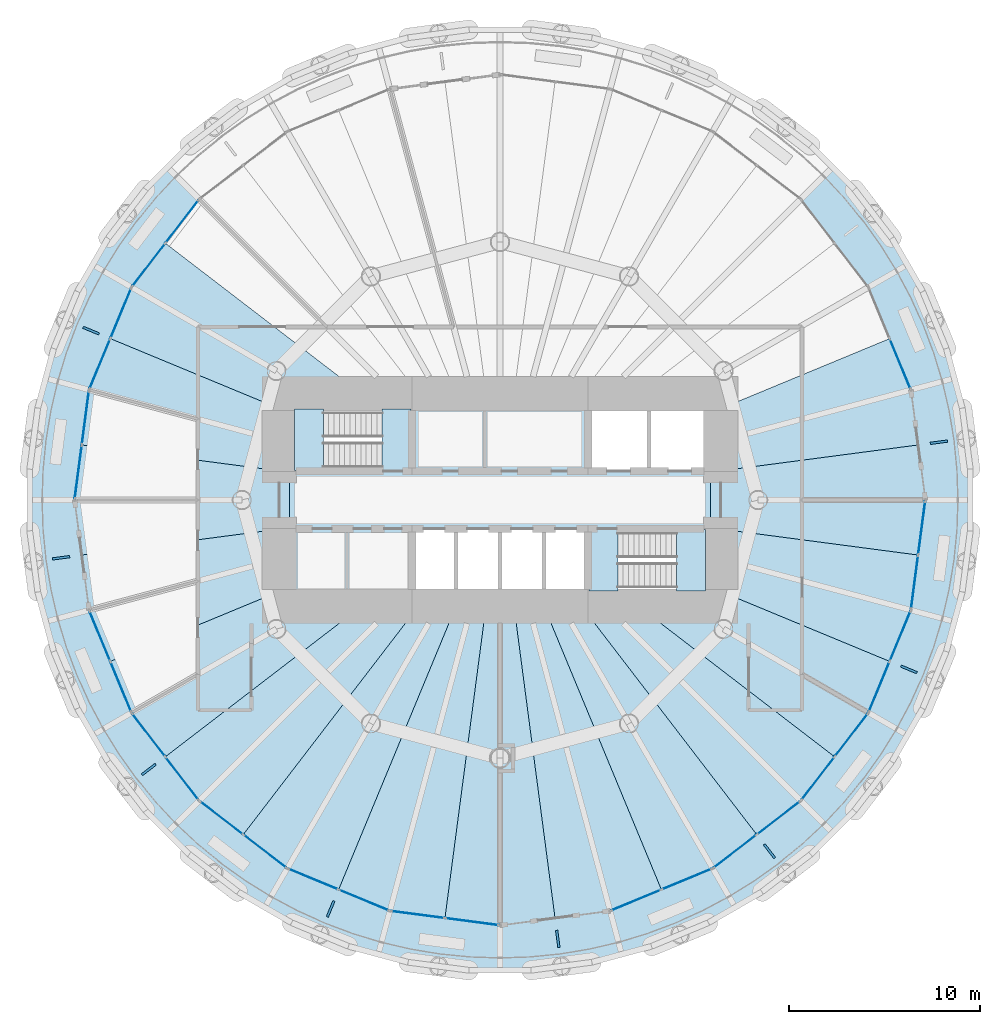
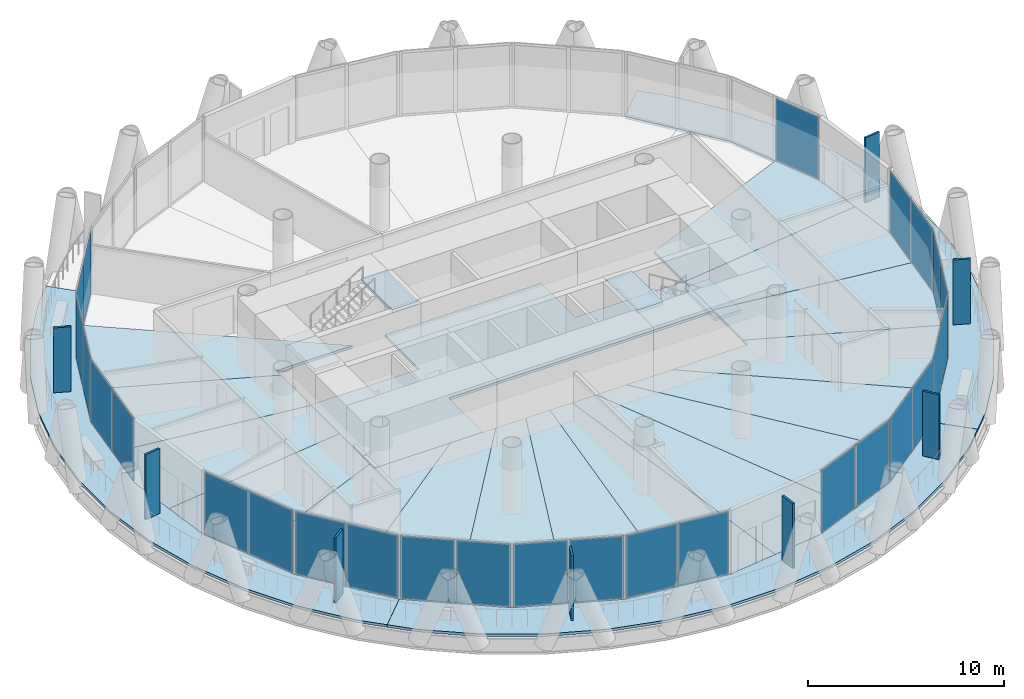
# One storey, part 8 of 15: 35 plates, 24 slabs, 16 elements without a shape of their own.
"""IFC4 building model written with IfcOpenShell, lengths in metres."""

import ifcopenshell
import ifcopenshell.guid

model = None  # the IFC model being written
_history = None  # IfcOwnerHistory: only IFC2X3 demands one
_inside = {}  # id of a spatial element -> (the spatial element, [elements in it])
_under = {}  # id of a project, library or spatial element -> (it, [spatial elements below it])
_declared = {}  # id of a project -> (the project, [libraries it declares])
_typed = {}  # id of a type object -> (the type object, [elements of that type])
_made_of = {}  # id of a material, layer set ... -> (it, [elements and type objects made of it])


def new_model(schema):
    """Start an empty IFC model of exactly this schema.

    Asked for "IFC4X3", IfcOpenShell would pick the latest addendum, in which some entities
    have other attributes; the version numbers below select the first issue.
    IFC2X3 requires an IfcOwnerHistory on every rooted entity: one is made here for all.
    """
    global model, _history
    if schema == "IFC4X3":
        model = ifcopenshell.file(schema_version=(4, 3, 0, 0))
    else:
        model = ifcopenshell.file(schema=schema)
    _inside.clear()
    _under.clear()
    _declared.clear()
    _typed.clear()
    _made_of.clear()
    _history = None
    if model.schema == "IFC2X3":
        org = make("IfcOrganization", Name="unknown")
        user = make(
            "IfcPersonAndOrganization",
            ThePerson=make("IfcPerson", FamilyName="unknown"),
            TheOrganization=org,
        )
        app = make(
            "IfcApplication",
            ApplicationDeveloper=org,
            Version="unknown",
            ApplicationFullName="unknown",
            ApplicationIdentifier="unknown",
        )
        _history = make(
            "IfcOwnerHistory",
            OwningUser=user,
            OwningApplication=app,
            ChangeAction="ADDED",
            CreationDate=0,
        )
    return model


def make(cls, **values):
    """One entity of the class cls with the attributes given. An attribute that is None is left unset."""
    return model.create_entity(
        cls, **{name: value for name, value in values.items() if value is not None}
    )


def rooted(cls, **values):
    """An entity with a GlobalId (a new one), such as an element, a storey or a relation."""
    return make(cls, GlobalId=ifcopenshell.guid.new(), OwnerHistory=_history, **values)


def si_unit(unit_type, name, prefix=None):
    """IfcSIUnit, for example si_unit("LENGTHUNIT", "METRE", prefix="MILLI")."""
    return make("IfcSIUnit", UnitType=unit_type, Prefix=prefix, Name=name)


def assignment(units):
    """IfcUnitAssignment: the units of a project."""
    return None if units is None else make("IfcUnitAssignment", Units=units)


def point(xyz):
    """IfcCartesianPoint."""
    return None if xyz is None else make("IfcCartesianPoint", Coordinates=xyz)


def direction(xyz):
    """IfcDirection."""
    return None if xyz is None else make("IfcDirection", DirectionRatios=xyz)


def frame(location, z_axis=None, x_axis=None):
    """IfcAxis2Placement3D, a coordinate frame: its origin and axes. An axis left out is left unset."""
    return make(
        "IfcAxis2Placement3D",
        Location=point(location),
        Axis=direction(z_axis),
        RefDirection=direction(x_axis),
    )


def frame_2d(location, x_axis=None):
    """IfcAxis2Placement2D, a coordinate frame in the plane: its origin and x axis."""
    return make(
        "IfcAxis2Placement2D", Location=point(location), RefDirection=direction(x_axis)
    )


def origin():
    """The frame at (0, 0, 0) with its axes left unset."""
    return frame((0.0, 0.0, 0.0))


def origin_2d():
    """The frame at (0, 0) in the plane with its x axis left unset."""
    return frame_2d((0.0, 0.0))


def place(relative_to, where):
    """IfcLocalPlacement: puts the frame where relative to a parent placement (None: the world)."""
    return make(
        "IfcLocalPlacement", PlacementRelTo=relative_to, RelativePlacement=where
    )


def context(
    kind, dimensions, precision=None, world=None, true_north=None, identifier=None
):
    """IfcGeometricRepresentationContext, for example the 3D "Model" context."""
    return make(
        "IfcGeometricRepresentationContext",
        ContextIdentifier=identifier,
        ContextType=kind,
        CoordinateSpaceDimension=dimensions,
        Precision=precision,
        WorldCoordinateSystem=world,
        TrueNorth=true_north,
    )


def subcontext(parent, identifier, kind, view, scale=None):
    """IfcGeometricRepresentationSubContext, for example "Body" below "Model"."""
    return make(
        "IfcGeometricRepresentationSubContext",
        ContextIdentifier=identifier,
        ContextType=kind,
        ParentContext=parent,
        TargetScale=scale,
        TargetView=view,
    )


def project(units=None, contexts=None):
    """IfcProject with its units and contexts."""
    return rooted(
        "IfcProject",
        Name="project",
        RepresentationContexts=contexts,
        UnitsInContext=assignment(units),
    )


def spatial(cls, under=None, at=None, **own):
    """A site, building, storey or space (cls), placed at a placement, below another one or the project."""
    s = rooted(cls, ObjectPlacement=at, **own)
    if under is not None:
        _under.setdefault(under.id(), (under, []))[1].append(s)
    return s


def polyline(points):
    """IfcPolyline through the points."""
    return make("IfcPolyline", Points=[point(p) for p in points])


def profile(cls, at=None, kind="AREA", **sizes):
    """A parametric profile (cls). Its sizes go by their IFC names, for example OverallWidth=200.0."""
    return make(cls, ProfileType=kind, Position=at, **sizes)


def rectangle(**sizes):
    """IfcRectangleProfileDef."""
    return profile("IfcRectangleProfileDef", **sizes)


def outline(outer, holes=None, kind="AREA"):
    """IfcArbitraryClosedProfileDef: a profile drawn as a closed curve; with holes, ...WithVoids."""
    if holes is None:
        return make("IfcArbitraryClosedProfileDef", ProfileType=kind, OuterCurve=outer)
    return make(
        "IfcArbitraryProfileDefWithVoids",
        ProfileType=kind,
        OuterCurve=outer,
        InnerCurves=holes,
    )


def extrude(swept, where, along, depth):
    """IfcExtrudedAreaSolid: the profile swept, set in the frame where, extruded along a direction by depth."""
    return make(
        "IfcExtrudedAreaSolid",
        SweptArea=swept,
        Position=where,
        ExtrudedDirection=direction(along),
        Depth=depth,
    )


def shape(context_of_items, identifier, shape_type, items):
    """IfcShapeRepresentation: the items that make up one representation, for example the "Body"."""
    return make(
        "IfcShapeRepresentation",
        ContextOfItems=context_of_items,
        RepresentationIdentifier=identifier,
        RepresentationType=shape_type,
        Items=items,
    )


def material(Name=None, Category=None):
    """IfcMaterial."""
    return make("IfcMaterial", Name=Name, Category=Category)


def layer(
    of_material, thickness, ventilated=None, Name=None, Category=None, Priority=None
):
    """IfcMaterialLayer: one layer of a wall or slab, of a material (None: an air gap)."""
    return make(
        "IfcMaterialLayer",
        Material=of_material,
        LayerThickness=thickness,
        IsVentilated=ventilated,
        Name=Name,
        Category=Category,
        Priority=Priority,
    )


def layer_set(layers, Name=None):
    """IfcMaterialLayerSet."""
    return make("IfcMaterialLayerSet", MaterialLayers=layers, LayerSetName=Name)


def made_of(thing, what):
    """Note that an element or type object is made of a material, layer set ...; save() writes the relation."""
    if what is not None:
        _made_of.setdefault(what.id(), (what, []))[1].append(thing)
    return thing


def type_object(cls, material=None, **own):
    """A type object (cls), such as IfcWallType, which elements share."""
    return made_of(rooted(cls, **own), material)


def element(
    cls,
    number,
    at=None,
    inside=None,
    cuts=None,
    type_object=None,
    material=None,
    context=None,
    identifier="Body",
    shape_type=None,
    held_by="IfcProductDefinitionShape",
    body=None,
    shapes=None,
    **own,
):
    """One element of the class cls, such as IfcWall. Its Tag is "e" and its number.

    at: its placement. inside: the storey or other place that contains it. cuts: it is an
    opening in that element (IfcRelVoidsElement). A single representation is given by context,
    identifier, shape_type and body (its items); several are given by shapes. held_by: the class
    of the entity that holds the representations. save() writes the other relations.
    """
    e = rooted(cls, Tag="e%d" % number, ObjectPlacement=at, **own)
    if body is not None:
        shapes = [shape(context, identifier, shape_type, body)]
    if shapes is not None:
        e.Representation = make(held_by, Representations=shapes)
    if inside is not None:
        _inside.setdefault(inside.id(), (inside, []))[1].append(e)
    if cuts is not None:
        rooted(
            "IfcRelVoidsElement", RelatingBuildingElement=cuts, RelatedOpeningElement=e
        )
    if type_object is not None:
        _typed.setdefault(type_object.id(), (type_object, []))[1].append(e)
    return made_of(e, material)


def aggregate(whole, parts):
    """IfcRelAggregates: a whole, such as a stair, and the parts it consists of."""
    return rooted("IfcRelAggregates", RelatingObject=whole, RelatedObjects=parts)


def save(model, path):
    """Write the relations noted so far, then the file.

    IfcRelAggregates (storeys below a building ...), IfcRelContainedInSpatialStructure (elements
    in a storey), IfcRelDefinesByType, IfcRelAssociatesMaterial and IfcRelDeclares: one each for
    every whole, place, type object, material and project.
    """
    for whole, parts in _under.values():
        aggregate(whole, parts)
    for where, things in _inside.values():
        rooted(
            "IfcRelContainedInSpatialStructure",
            RelatedElements=things,
            RelatingStructure=where,
        )
    for kind, things in _typed.values():
        rooted("IfcRelDefinesByType", RelatedObjects=things, RelatingType=kind)
    for what, things in _made_of.values():
        rooted("IfcRelAssociatesMaterial", RelatedObjects=things, RelatingMaterial=what)
    for by, libraries in _declared.values():
        rooted("IfcRelDeclares", RelatingContext=by, RelatedDefinitions=libraries)
    model.write(path)


model = new_model("IFC4")

# Units and contexts
model_context = context("Model", 3, precision=1e-05, world=origin(), true_north=direction((0.0, 1.0)))
body_context = subcontext(model_context, "Body", "Model", "MODEL_VIEW")
ifc_project = project(units=[si_unit("LENGTHUNIT", "METRE"), si_unit("AREAUNIT", "SQUARE_METRE"), si_unit("VOLUMEUNIT", "CUBIC_METRE"), si_unit("PLANEANGLEUNIT", "RADIAN"), si_unit("MASSUNIT", "GRAM", prefix="KILO")], contexts=[model_context])

# Site, building, storey
site_placement = place(None, origin())
site = spatial("IfcSite", under=ifc_project, at=site_placement, CompositionType="ELEMENT")
building_placement = place(site_placement, origin())
building = spatial("IfcBuilding", under=site, at=building_placement, Name="Qaws Media Tower", CompositionType="ELEMENT")
storey_placement = place(building_placement, frame((0.0, 0.0, 164.60009765625)))
storey = spatial("IfcBuildingStorey", under=building, at=storey_placement, Name="L37", CompositionType="ELEMENT", Elevation=164.60009765625)

# Slabs
ifc_material_1 = material(Name="Concrete C35/45", Category="concrete")
ifc_layer_1 = layer(ifc_material_1, 0.159912109375)
ifc_layer_set_1 = layer_set([ifc_layer_1], Name="Composite balcony slab 160")
slab_type_1 = type_object("IfcSlabType", Name="Composite balcony slab 160", PredefinedType="FLOOR", material=ifc_layer_set_1)
slab_1_placement = place(storey_placement, frame((0.0, 0.0, -0.16015625)))
element("IfcSlab", 1, at=slab_1_placement, inside=storey, type_object=slab_type_1, Name="S2 balcony slab L37 R10 to R16, movement joints on R10 and R16", PredefinedType="FLOOR", context=body_context, shape_type="SweptSolid", body=[
    extrude(outline(polyline([(41.467041015625, 33.7470703125), (39.50439453125, 36.30517578125), (37.89208984375, 39.09765625), (36.658203125, 42.076416015625), (35.823486328125, 45.19091796875), (35.40283203125, 48.3876953125), (35.40283203125, 51.6123046875), (35.823486328125, 54.80908203125), (36.658203125, 57.923583984375), (37.89208984375, 60.90234375), (39.50439453125, 63.69482421875), (41.467041015625, 66.2529296875), (42.607177734375, 67.392822265625), (44.266845703125, 65.733154296875), (40.73095703125, 61.125), (38.50830078125, 55.7587890625), (37.75, 50.0), (38.50830078125, 44.2412109375), (40.73095703125, 38.875), (44.266845703125, 34.266845703125), (42.607177734375, 32.607177734375), (41.467041015625, 33.7470703125)])), origin(), (0.0, 0.0, 1.0), 0.16015625),
])
slab_2_placement = place(storey_placement, frame((0.0, 0.0, -0.16015625)))
element("IfcSlab", 2, at=slab_2_placement, inside=storey, type_object=slab_type_1, Name="S2 balcony slab L37 R16 to R22, movement joints on R16 and R22", PredefinedType="FLOOR", context=body_context, shape_type="SweptSolid", body=[
    extrude(outline(polyline([(76.2529296875, 31.467041015625), (73.69482421875, 29.50439453125), (70.90234375, 27.89208984375), (67.923583984375, 26.658203125), (64.80908203125, 25.823486328125), (61.6123046875, 25.40283203125), (58.3876953125, 25.40283203125), (55.19091796875, 25.823486328125), (52.076416015625, 26.658203125), (49.09765625, 27.89208984375), (46.30517578125, 29.50439453125), (43.7470703125, 31.467041015625), (42.607177734375, 32.607177734375), (44.266845703125, 34.266845703125), (48.875, 30.73095703125), (54.2412109375, 28.50830078125), (60.0, 27.75), (65.7587890625, 28.50830078125), (71.125, 30.73095703125), (75.733154296875, 34.266845703125), (77.392822265625, 32.607177734375), (76.2529296875, 31.467041015625)])), origin(), (0.0, 0.0, 1.0), 0.16015625),
])
slab_3_placement = place(storey_placement, frame((0.0, 0.0, -0.16015625)))
element("IfcSlab", 3, at=slab_3_placement, inside=storey, type_object=slab_type_1, Name="S2 balcony slab L37 R22 to R04, movement joints on R22 and R04", PredefinedType="FLOOR", context=body_context, shape_type="SweptSolid", body=[
    extrude(outline(polyline([(84.176513671875, 45.19091796875), (83.341796875, 42.076416015625), (82.10791015625, 39.09765625), (80.49560546875, 36.30517578125), (78.532958984375, 33.7470703125), (77.392822265625, 32.607177734375), (75.733154296875, 34.266845703125), (79.26904296875, 38.875), (81.49169921875, 44.2412109375), (82.25, 50.0), (81.49169921875, 55.7587890625), (79.26904296875, 61.125), (75.733154296875, 65.733154296875), (77.392822265625, 67.392822265625), (78.532958984375, 66.2529296875), (80.49560546875, 63.69482421875), (82.10791015625, 60.90234375), (83.341796875, 57.923583984375), (84.176513671875, 54.80908203125), (84.59716796875, 51.6123046875), (84.59716796875, 48.3876953125), (84.176513671875, 45.19091796875)])), origin(), (0.0, 0.0, 1.0), 0.16015625),
])
ifc_material_2 = material(Name="Concrete C35/45", Category="concrete")
ifc_layer_2 = layer(ifc_material_2, 0.159912109375)
ifc_layer_set_2 = layer_set([ifc_layer_2], Name="Composite floor slab 160")
slab_type_2 = type_object("IfcSlabType", Name="Composite floor slab 160", PredefinedType="FLOOR", material=ifc_layer_set_2)
slab_4_placement = place(storey_placement, frame((0.0, 0.0, -0.16015625)))
element("IfcSlab", 4, at=slab_4_placement, inside=storey, type_object=slab_type_2, Name="S1 core floor slab L37", PredefinedType="FLOOR", context=body_context, shape_type="SweptSolid", body=[
    extrude(outline(polyline([(71.0, 51.5), (71.0, 48.5), (55.39990234375, 48.5), (55.39990234375, 45.0), (49.0, 45.0), (49.0, 51.5), (55.39990234375, 51.5), (55.39990234375, 55.0), (64.60009765625, 55.0), (64.60009765625, 51.5), (71.0, 51.5)])), origin(), (0.0, 0.0, 1.0), 0.16015625),
])
slab_5_placement = place(storey_placement, frame((0.0, 0.0, -0.16015625)))
element("IfcSlab", 5, at=slab_5_placement, inside=storey, type_object=slab_type_2, Name="S1 floor panel L37 on R01", PredefinedType="FLOOR", context=body_context, shape_type="SweptSolid", body=[
    extrude(outline(polyline([(82.25, 50.0), (81.870849609375, 47.12060546875), (71.0, 48.5517578125), (71.0, 51.4482421875), (81.870849609375, 52.87939453125), (82.25, 50.0)])), origin(), (0.0, 0.0, 1.0), 0.16015625),
])
slab_6_placement = place(storey_placement, frame((0.0, 0.0, -0.16015625)))
element("IfcSlab", 6, at=slab_6_placement, inside=storey, type_object=slab_type_2, Name="S1 floor panel L37 on R02", PredefinedType="FLOOR", context=body_context, shape_type="SweptSolid", body=[
    extrude(outline(polyline([(81.49169921875, 55.7587890625), (81.870849609375, 52.87939453125), (71.0, 51.4482421875), (71.0, 54.556396484375), (80.380615234375, 58.44189453125), (81.49169921875, 55.7587890625)])), origin(), (0.0, 0.0, 1.0), 0.16015625),
])
slab_7_placement = place(storey_placement, frame((0.0, 0.0, -0.16015625)))
element("IfcSlab", 7, at=slab_7_placement, inside=storey, type_object=slab_type_2, Name="S1 floor panel L37 on R11", PredefinedType="FLOOR", context=body_context, shape_type="SweptSolid", body=[
    extrude(outline(polyline([(40.73095703125, 61.125), (42.498779296875, 63.42919921875), (53.48388671875, 55.0), (49.0, 55.0), (49.0, 54.556396484375), (39.619384765625, 58.44189453125), (40.73095703125, 61.125)])), origin(), (0.0, 0.0, 1.0), 0.16015625),
])
slab_8_placement = place(storey_placement, frame((0.0, 0.0, -0.16015625)))
element("IfcSlab", 8, at=slab_8_placement, inside=storey, type_object=slab_type_2, Name="S1 floor panel L37 on R12", PredefinedType="FLOOR", context=body_context, shape_type="SweptSolid", body=[
    extrude(outline(polyline([(38.50830078125, 55.7587890625), (39.619384765625, 58.44189453125), (49.0, 54.556396484375), (49.0, 51.4482421875), (38.129150390625, 52.87939453125), (38.50830078125, 55.7587890625)])), origin(), (0.0, 0.0, 1.0), 0.16015625),
])
slab_9_placement = place(storey_placement, frame((0.0, 0.0, -0.16015625)))
element("IfcSlab", 9, at=slab_9_placement, inside=storey, type_object=slab_type_2, Name="S1 floor panel L37 on R13", PredefinedType="FLOOR", context=body_context, shape_type="SweptSolid", body=[
    extrude(outline(polyline([(37.75, 50.0), (38.129150390625, 52.87939453125), (49.0, 51.4482421875), (49.0, 48.5517578125), (38.129150390625, 47.12060546875), (37.75, 50.0)])), origin(), (0.0, 0.0, 1.0), 0.16015625),
])
slab_10_placement = place(storey_placement, frame((0.0, 0.0, -0.16015625)))
element("IfcSlab", 10, at=slab_10_placement, inside=storey, type_object=slab_type_2, Name="S1 floor panel L37 on R14", PredefinedType="FLOOR", context=body_context, shape_type="SweptSolid", body=[
    extrude(outline(polyline([(38.50830078125, 44.2412109375), (38.129150390625, 47.12060546875), (49.0, 48.5517578125), (49.0, 45.443603515625), (39.619384765625, 41.55810546875), (38.50830078125, 44.2412109375)])), origin(), (0.0, 0.0, 1.0), 0.16015625),
])
slab_11_placement = place(storey_placement, frame((0.0, 0.0, -0.16015625)))
element("IfcSlab", 11, at=slab_11_placement, inside=storey, type_object=slab_type_2, Name="S1 floor panel L37 on R15", PredefinedType="FLOOR", context=body_context, shape_type="SweptSolid", body=[
    extrude(outline(polyline([(40.73095703125, 38.875), (39.619384765625, 41.55810546875), (49.0, 45.443603515625), (49.0, 45.0), (53.48388671875, 45.0), (42.498779296875, 36.57080078125), (40.73095703125, 38.875)])), origin(), (0.0, 0.0, 1.0), 0.16015625),
])
slab_12_placement = place(storey_placement, frame((0.0, 0.0, -0.16015625)))
element("IfcSlab", 12, at=slab_12_placement, inside=storey, type_object=slab_type_2, Name="S1 floor panel L37 on R16", PredefinedType="FLOOR", context=body_context, shape_type="SweptSolid", body=[
    extrude(outline(polyline([(44.266845703125, 34.266845703125), (42.498779296875, 36.57080078125), (53.48388671875, 45.0), (56.163330078125, 45.0), (46.57080078125, 32.498779296875), (44.266845703125, 34.266845703125)])), origin(), (0.0, 0.0, 1.0), 0.16015625),
])
slab_13_placement = place(storey_placement, frame((0.0, 0.0, -0.16015625)))
element("IfcSlab", 13, at=slab_13_placement, inside=storey, type_object=slab_type_2, Name="S1 floor panel L37 on R17", PredefinedType="FLOOR", context=body_context, shape_type="SweptSolid", body=[
    extrude(outline(polyline([(48.875, 30.73095703125), (46.57080078125, 32.498779296875), (56.163330078125, 45.0), (57.928955078125, 45.0), (51.55810546875, 29.619384765625), (48.875, 30.73095703125)])), origin(), (0.0, 0.0, 1.0), 0.16015625),
])
slab_14_placement = place(storey_placement, frame((0.0, 0.0, -0.16015625)))
element("IfcSlab", 14, at=slab_14_placement, inside=storey, type_object=slab_type_2, Name="S1 floor panel L37 on R18", PredefinedType="FLOOR", context=body_context, shape_type="SweptSolid", body=[
    extrude(outline(polyline([(54.2412109375, 28.50830078125), (51.55810546875, 29.619384765625), (57.928955078125, 45.0), (59.341796875, 45.0), (57.12060546875, 28.129150390625), (54.2412109375, 28.50830078125)])), origin(), (0.0, 0.0, 1.0), 0.16015625),
])
slab_15_placement = place(storey_placement, frame((0.0, 0.0, -0.16015625)))
element("IfcSlab", 15, at=slab_15_placement, inside=storey, type_object=slab_type_2, Name="S1 floor panel L37 on R19", PredefinedType="FLOOR", context=body_context, shape_type="SweptSolid", body=[
    extrude(outline(polyline([(60.0, 27.75), (57.12060546875, 28.129150390625), (59.341796875, 45.0), (60.658203125, 45.0), (62.87939453125, 28.129150390625), (60.0, 27.75)])), origin(), (0.0, 0.0, 1.0), 0.16015625),
])
slab_16_placement = place(storey_placement, frame((0.0, 0.0, -0.16015625)))
element("IfcSlab", 16, at=slab_16_placement, inside=storey, type_object=slab_type_2, Name="S1 floor panel L37 on R20", PredefinedType="FLOOR", context=body_context, shape_type="SweptSolid", body=[
    extrude(outline(polyline([(65.7587890625, 28.50830078125), (62.87939453125, 28.129150390625), (60.658203125, 45.0), (62.071044921875, 45.0), (68.44189453125, 29.619384765625), (65.7587890625, 28.50830078125)])), origin(), (0.0, 0.0, 1.0), 0.16015625),
])
slab_17_placement = place(storey_placement, frame((0.0, 0.0, -0.16015625)))
element("IfcSlab", 17, at=slab_17_placement, inside=storey, type_object=slab_type_2, Name="S1 floor panel L37 on R21", PredefinedType="FLOOR", context=body_context, shape_type="SweptSolid", body=[
    extrude(outline(polyline([(71.125, 30.73095703125), (68.44189453125, 29.619384765625), (62.071044921875, 45.0), (63.836669921875, 45.0), (73.42919921875, 32.498779296875), (71.125, 30.73095703125)])), origin(), (0.0, 0.0, 1.0), 0.16015625),
])
slab_18_placement = place(storey_placement, frame((0.0, 0.0, -0.16015625)))
element("IfcSlab", 18, at=slab_18_placement, inside=storey, type_object=slab_type_2, Name="S1 floor panel L37 on R22", PredefinedType="FLOOR", context=body_context, shape_type="SweptSolid", body=[
    extrude(outline(polyline([(75.733154296875, 34.266845703125), (73.42919921875, 32.498779296875), (63.836669921875, 45.0), (66.51611328125, 45.0), (77.501220703125, 36.57080078125), (75.733154296875, 34.266845703125)])), origin(), (0.0, 0.0, 1.0), 0.16015625),
])
slab_19_placement = place(storey_placement, frame((0.0, 0.0, -0.16015625)))
element("IfcSlab", 19, at=slab_19_placement, inside=storey, type_object=slab_type_2, Name="S1 floor panel L37 on R23", PredefinedType="FLOOR", context=body_context, shape_type="SweptSolid", body=[
    extrude(outline(polyline([(79.26904296875, 38.875), (77.501220703125, 36.57080078125), (66.51611328125, 45.0), (71.0, 45.0), (71.0, 45.443603515625), (80.380615234375, 41.55810546875), (79.26904296875, 38.875)])), origin(), (0.0, 0.0, 1.0), 0.16015625),
])
slab_20_placement = place(storey_placement, frame((0.0, 0.0, -0.16015625)))
element("IfcSlab", 20, at=slab_20_placement, inside=storey, type_object=slab_type_2, Name="S1 floor panel L37 on R24", PredefinedType="FLOOR", context=body_context, shape_type="SweptSolid", body=[
    extrude(outline(polyline([(80.380615234375, 41.55810546875), (71.0, 45.443603515625), (71.0, 48.5517578125), (81.870849609375, 47.12060546875), (81.49169921875, 44.2412109375), (80.380615234375, 41.55810546875)])), origin(), (0.0, 0.0, 1.0), 0.16015625),
])

# Curtain wall, plate
ifc_material_3 = material(Name="Aluminium and clear glass", Category="aluminium")
curtain_wall_type = type_object("IfcCurtainWallType", Name="Unitised curtain wall CW-B", PredefinedType="NOTDEFINED", material=ifc_material_3)
curtain_wall_1_placement = place(storey_placement, origin())
curtain_wall_1 = element("IfcCurtainWall", 21, at=curtain_wall_1_placement, inside=storey, type_object=curtain_wall_type, Name="CWB curtain wall L37-02", PredefinedType="NOTDEFINED")
ifc_material_4 = material(Name="Clear laminated double glazing", Category="glass")
ifc_layer_3 = layer(ifc_material_4, 0.031982421875)
ifc_layer_set_3 = layer_set([ifc_layer_3], Name="Curtain wall glass unit 32")
plate_type_1 = type_object("IfcPlateType", Name="Curtain wall glass unit 32", PredefinedType="CURTAIN_PANEL", material=ifc_layer_set_3)
plate_1_placement = place(storey_placement, frame((80.928466796875, 57.11865234375, 0.080078125), z_axis=(0.0, 0.0, 1.0), x_axis=(-0.382683535434, 0.923879489819, 0.0)))
plate_1 = element("IfcPlate", 22, at=plate_1_placement, type_object=plate_type_1, Name="CWB panel 1.1", PredefinedType="CURTAIN_PANEL", context=body_context, shape_type="SweptSolid", body=[
    extrude(rectangle(XDim=2.7841796875, YDim=0.031982421875, at=origin_2d()), origin(), (0.0, 0.0, 1.0), 3.8798828125),
])
aggregate(curtain_wall_1, [plate_1])

# Curtain wall, plates
curtain_wall_2_placement = place(storey_placement, origin())
curtain_wall_2 = element("IfcCurtainWall", 23, at=curtain_wall_2_placement, inside=storey, type_object=curtain_wall_type, Name="CWB curtain wall L37-10", PredefinedType="NOTDEFINED")
plate_2_placement = place(storey_placement, frame((43.37060546875, 64.565185546875, 0.080078125), z_axis=(0.0, 0.0, 1.0), x_axis=(-0.608761380919, -0.793353377191, 0.0)))
plate_2 = element("IfcPlate", 24, at=plate_2_placement, type_object=plate_type_1, Name="CWB panel 1.1", PredefinedType="CURTAIN_PANEL", context=body_context, shape_type="SweptSolid", body=[
    extrude(rectangle(XDim=2.7841796875, YDim=0.031982421875, at=origin_2d()), origin(), (0.0, 0.0, 1.0), 3.8798828125),
])
plate_3_placement = place(storey_placement, frame((41.627197265625, 62.29296875, 0.080078125), z_axis=(0.0, 0.0, 1.0), x_axis=(-0.608761380919, -0.793353377191, 0.0)))
plate_3 = element("IfcPlate", 25, at=plate_3_placement, type_object=plate_type_1, Name="CWB panel 2.1", PredefinedType="CURTAIN_PANEL", context=body_context, shape_type="SweptSolid", body=[
    extrude(rectangle(XDim=2.7841796875, YDim=0.031982421875, at=origin_2d()), origin(), (0.0, 0.0, 1.0), 3.8798828125),
])
aggregate(curtain_wall_2, [plate_2, plate_3])

curtain_wall_3_placement = place(storey_placement, origin())
curtain_wall_3 = element("IfcCurtainWall", 26, at=curtain_wall_3_placement, inside=storey, type_object=curtain_wall_type, Name="CWB curtain wall L37-11", PredefinedType="NOTDEFINED")
plate_4_placement = place(storey_placement, frame((40.16748046875, 59.764892578125, 0.080078125), z_axis=(0.0, 0.0, 1.0), x_axis=(-0.382683535434, -0.923879489819, 0.0)))
plate_4 = element("IfcPlate", 27, at=plate_4_placement, type_object=plate_type_1, Name="CWB panel 1.1", PredefinedType="CURTAIN_PANEL", context=body_context, shape_type="SweptSolid", body=[
    extrude(rectangle(XDim=2.7841796875, YDim=0.031982421875, at=origin_2d()), origin(), (0.0, 0.0, 1.0), 3.8798828125),
])
plate_5_placement = place(storey_placement, frame((39.071533203125, 57.11865234375, 0.080078125), z_axis=(0.0, 0.0, 1.0), x_axis=(-0.382683535434, -0.923879489819, 0.0)))
plate_5 = element("IfcPlate", 28, at=plate_5_placement, type_object=plate_type_1, Name="CWB panel 2.1", PredefinedType="CURTAIN_PANEL", context=body_context, shape_type="SweptSolid", body=[
    extrude(rectangle(XDim=2.7841796875, YDim=0.031982421875, at=origin_2d()), origin(), (0.0, 0.0, 1.0), 3.8798828125),
])
aggregate(curtain_wall_3, [plate_4, plate_5])

curtain_wall_4_placement = place(storey_placement, origin())
curtain_wall_4 = element("IfcCurtainWall", 29, at=curtain_wall_4_placement, inside=storey, type_object=curtain_wall_type, Name="CWB curtain wall L37-12", PredefinedType="NOTDEFINED")
plate_6_placement = place(storey_placement, frame((38.31591796875, 54.29931640625, 0.080078125), z_axis=(0.0, 0.0, 1.0), x_axis=(-0.130526124942, -0.991444870231, 0.0)))
plate_6 = element("IfcPlate", 30, at=plate_6_placement, type_object=plate_type_1, Name="CWB panel 1.1", PredefinedType="CURTAIN_PANEL", context=body_context, shape_type="SweptSolid", body=[
    extrude(rectangle(XDim=2.7841796875, YDim=0.031982421875, at=origin_2d()), origin(), (0.0, 0.0, 1.0), 3.8798828125),
])
plate_7_placement = place(storey_placement, frame((37.942138671875, 51.45947265625, 0.080078125), z_axis=(0.0, 0.0, 1.0), x_axis=(-0.130526124942, -0.991444870231, 0.0)))
plate_7 = element("IfcPlate", 31, at=plate_7_placement, type_object=plate_type_1, Name="CWB panel 2.1", PredefinedType="CURTAIN_PANEL", context=body_context, shape_type="SweptSolid", body=[
    extrude(rectangle(XDim=2.7841796875, YDim=0.031982421875, at=origin_2d()), origin(), (0.0, 0.0, 1.0), 3.8798828125),
])
aggregate(curtain_wall_4, [plate_6, plate_7])

curtain_wall_5_placement = place(storey_placement, origin())
curtain_wall_5 = element("IfcCurtainWall", 32, at=curtain_wall_5_placement, inside=storey, type_object=curtain_wall_type, Name="CWB curtain wall L37-14", PredefinedType="NOTDEFINED")
plate_8_placement = place(storey_placement, frame((39.071533203125, 42.88134765625, 0.080078125), z_axis=(0.0, 0.0, 1.0), x_axis=(0.382683535434, -0.923879489819, 0.0)))
plate_8 = element("IfcPlate", 33, at=plate_8_placement, type_object=plate_type_1, Name="CWB panel 1.1", PredefinedType="CURTAIN_PANEL", context=body_context, shape_type="SweptSolid", body=[
    extrude(rectangle(XDim=2.7841796875, YDim=0.031982421875, at=origin_2d()), origin(), (0.0, 0.0, 1.0), 3.8798828125),
])
plate_9_placement = place(storey_placement, frame((40.16748046875, 40.235107421875, 0.080078125), z_axis=(0.0, 0.0, 1.0), x_axis=(0.382683535434, -0.923879489819, 0.0)))
plate_9 = element("IfcPlate", 34, at=plate_9_placement, type_object=plate_type_1, Name="CWB panel 2.1", PredefinedType="CURTAIN_PANEL", context=body_context, shape_type="SweptSolid", body=[
    extrude(rectangle(XDim=2.7841796875, YDim=0.031982421875, at=origin_2d()), origin(), (0.0, 0.0, 1.0), 3.8798828125),
])
aggregate(curtain_wall_5, [plate_8, plate_9])

curtain_wall_6_placement = place(storey_placement, origin())
curtain_wall_6 = element("IfcCurtainWall", 35, at=curtain_wall_6_placement, inside=storey, type_object=curtain_wall_type, Name="CWB curtain wall L37-15", PredefinedType="NOTDEFINED")
plate_10_placement = place(storey_placement, frame((41.627197265625, 37.70703125, 0.080078125), z_axis=(0.0, 0.0, 1.0), x_axis=(0.608761380919, -0.793353377191, 0.0)))
plate_10 = element("IfcPlate", 36, at=plate_10_placement, type_object=plate_type_1, Name="CWB panel 1.1", PredefinedType="CURTAIN_PANEL", context=body_context, shape_type="SweptSolid", body=[
    extrude(rectangle(XDim=2.7841796875, YDim=0.031982421875, at=origin_2d()), origin(), (0.0, 0.0, 1.0), 3.8798828125),
])
plate_11_placement = place(storey_placement, frame((43.37060546875, 35.434814453125, 0.080078125), z_axis=(0.0, 0.0, 1.0), x_axis=(0.608761380919, -0.793353377191, 0.0)))
plate_11 = element("IfcPlate", 37, at=plate_11_placement, type_object=plate_type_1, Name="CWB panel 2.1", PredefinedType="CURTAIN_PANEL", context=body_context, shape_type="SweptSolid", body=[
    extrude(rectangle(XDim=2.7841796875, YDim=0.031982421875, at=origin_2d()), origin(), (0.0, 0.0, 1.0), 3.8798828125),
])
aggregate(curtain_wall_6, [plate_10, plate_11])

curtain_wall_7_placement = place(storey_placement, origin())
curtain_wall_7 = element("IfcCurtainWall", 38, at=curtain_wall_7_placement, inside=storey, type_object=curtain_wall_type, Name="CWB curtain wall L37-16", PredefinedType="NOTDEFINED")
plate_12_placement = place(storey_placement, frame((45.434814453125, 33.37060546875, 0.080078125), z_axis=(0.0, 0.0, 1.0), x_axis=(0.793353377191, -0.608761380919, 0.0)))
plate_12 = element("IfcPlate", 39, at=plate_12_placement, type_object=plate_type_1, Name="CWB panel 1.1", PredefinedType="CURTAIN_PANEL", context=body_context, shape_type="SweptSolid", body=[
    extrude(rectangle(XDim=2.7841796875, YDim=0.031982421875, at=origin_2d()), origin(), (0.0, 0.0, 1.0), 3.8798828125),
])
plate_13_placement = place(storey_placement, frame((47.70703125, 31.627197265625, 0.080078125), z_axis=(0.0, 0.0, 1.0), x_axis=(0.793353377191, -0.608761380919, 0.0)))
plate_13 = element("IfcPlate", 40, at=plate_13_placement, type_object=plate_type_1, Name="CWB panel 2.1", PredefinedType="CURTAIN_PANEL", context=body_context, shape_type="SweptSolid", body=[
    extrude(rectangle(XDim=2.7841796875, YDim=0.031982421875, at=origin_2d()), origin(), (0.0, 0.0, 1.0), 3.8798828125),
])
aggregate(curtain_wall_7, [plate_12, plate_13])

curtain_wall_8_placement = place(storey_placement, origin())
curtain_wall_8 = element("IfcCurtainWall", 41, at=curtain_wall_8_placement, inside=storey, type_object=curtain_wall_type, Name="CWB curtain wall L37-17", PredefinedType="NOTDEFINED")
plate_14_placement = place(storey_placement, frame((50.235107421875, 30.16748046875, 0.080078125), z_axis=(0.0, 0.0, 1.0), x_axis=(0.923879489819, -0.382683535434, 0.0)))
plate_14 = element("IfcPlate", 42, at=plate_14_placement, type_object=plate_type_1, Name="CWB panel 1.1", PredefinedType="CURTAIN_PANEL", context=body_context, shape_type="SweptSolid", body=[
    extrude(rectangle(XDim=2.7841796875, YDim=0.031982421875, at=origin_2d()), origin(), (0.0, 0.0, 1.0), 3.8798828125),
])
plate_15_placement = place(storey_placement, frame((52.88134765625, 29.071533203125, 0.080078125), z_axis=(0.0, 0.0, 1.0), x_axis=(0.923879489819, -0.382683535434, 0.0)))
plate_15 = element("IfcPlate", 43, at=plate_15_placement, type_object=plate_type_1, Name="CWB panel 2.1", PredefinedType="CURTAIN_PANEL", context=body_context, shape_type="SweptSolid", body=[
    extrude(rectangle(XDim=2.7841796875, YDim=0.031982421875, at=origin_2d()), origin(), (0.0, 0.0, 1.0), 3.8798828125),
])
aggregate(curtain_wall_8, [plate_14, plate_15])

curtain_wall_9_placement = place(storey_placement, origin())
curtain_wall_9 = element("IfcCurtainWall", 44, at=curtain_wall_9_placement, inside=storey, type_object=curtain_wall_type, Name="CWB curtain wall L37-18", PredefinedType="NOTDEFINED")
plate_16_placement = place(storey_placement, frame((55.70068359375, 28.31591796875, 0.080078125), z_axis=(0.0, 0.0, 1.0), x_axis=(0.991444870231, -0.130526124942, 0.0)))
plate_16 = element("IfcPlate", 45, at=plate_16_placement, type_object=plate_type_1, Name="CWB panel 1.1", PredefinedType="CURTAIN_PANEL", context=body_context, shape_type="SweptSolid", body=[
    extrude(rectangle(XDim=2.7841796875, YDim=0.031982421875, at=origin_2d()), origin(), (0.0, 0.0, 1.0), 3.8798828125),
])
plate_17_placement = place(storey_placement, frame((58.54052734375, 27.942138671875, 0.080078125), z_axis=(0.0, 0.0, 1.0), x_axis=(0.991444870231, -0.130526124942, 0.0)))
plate_17 = element("IfcPlate", 46, at=plate_17_placement, type_object=plate_type_1, Name="CWB panel 2.1", PredefinedType="CURTAIN_PANEL", context=body_context, shape_type="SweptSolid", body=[
    extrude(rectangle(XDim=2.7841796875, YDim=0.031982421875, at=origin_2d()), origin(), (0.0, 0.0, 1.0), 3.8798828125),
])
aggregate(curtain_wall_9, [plate_16, plate_17])

curtain_wall_10_placement = place(storey_placement, origin())
curtain_wall_10 = element("IfcCurtainWall", 47, at=curtain_wall_10_placement, inside=storey, type_object=curtain_wall_type, Name="CWB curtain wall L37-20", PredefinedType="NOTDEFINED")
plate_18_placement = place(storey_placement, frame((67.11865234375, 29.071533203125, 0.080078125), z_axis=(0.0, 0.0, 1.0), x_axis=(0.923879489819, 0.382683535434, 0.0)))
plate_18 = element("IfcPlate", 48, at=plate_18_placement, type_object=plate_type_1, Name="CWB panel 1.1", PredefinedType="CURTAIN_PANEL", context=body_context, shape_type="SweptSolid", body=[
    extrude(rectangle(XDim=2.7841796875, YDim=0.031982421875, at=origin_2d()), origin(), (0.0, 0.0, 1.0), 3.8798828125),
])
plate_19_placement = place(storey_placement, frame((69.764892578125, 30.16748046875, 0.080078125), z_axis=(0.0, 0.0, 1.0), x_axis=(0.923879489819, 0.382683535434, 0.0)))
plate_19 = element("IfcPlate", 49, at=plate_19_placement, type_object=plate_type_1, Name="CWB panel 2.1", PredefinedType="CURTAIN_PANEL", context=body_context, shape_type="SweptSolid", body=[
    extrude(rectangle(XDim=2.7841796875, YDim=0.031982421875, at=origin_2d()), origin(), (0.0, 0.0, 1.0), 3.8798828125),
])
aggregate(curtain_wall_10, [plate_18, plate_19])

curtain_wall_11_placement = place(storey_placement, origin())
curtain_wall_11 = element("IfcCurtainWall", 50, at=curtain_wall_11_placement, inside=storey, type_object=curtain_wall_type, Name="CWB curtain wall L37-21", PredefinedType="NOTDEFINED")
plate_20_placement = place(storey_placement, frame((72.29296875, 31.627197265625, 0.080078125), z_axis=(0.0, 0.0, 1.0), x_axis=(0.793353377191, 0.608761380919, 0.0)))
plate_20 = element("IfcPlate", 51, at=plate_20_placement, type_object=plate_type_1, Name="CWB panel 1.1", PredefinedType="CURTAIN_PANEL", context=body_context, shape_type="SweptSolid", body=[
    extrude(rectangle(XDim=2.7841796875, YDim=0.031982421875, at=origin_2d()), origin(), (0.0, 0.0, 1.0), 3.8798828125),
])
plate_21_placement = place(storey_placement, frame((74.565185546875, 33.37060546875, 0.080078125), z_axis=(0.0, 0.0, 1.0), x_axis=(0.793353377191, 0.608761380919, 0.0)))
plate_21 = element("IfcPlate", 52, at=plate_21_placement, type_object=plate_type_1, Name="CWB panel 2.1", PredefinedType="CURTAIN_PANEL", context=body_context, shape_type="SweptSolid", body=[
    extrude(rectangle(XDim=2.7841796875, YDim=0.031982421875, at=origin_2d()), origin(), (0.0, 0.0, 1.0), 3.8798828125),
])
aggregate(curtain_wall_11, [plate_20, plate_21])

curtain_wall_12_placement = place(storey_placement, origin())
curtain_wall_12 = element("IfcCurtainWall", 53, at=curtain_wall_12_placement, inside=storey, type_object=curtain_wall_type, Name="CWB curtain wall L37-22", PredefinedType="NOTDEFINED")
plate_22_placement = place(storey_placement, frame((76.62939453125, 35.434814453125, 0.080078125), z_axis=(0.0, 0.0, 1.0), x_axis=(0.608761380919, 0.793353377191, 0.0)))
plate_22 = element("IfcPlate", 54, at=plate_22_placement, type_object=plate_type_1, Name="CWB panel 1.1", PredefinedType="CURTAIN_PANEL", context=body_context, shape_type="SweptSolid", body=[
    extrude(rectangle(XDim=2.7841796875, YDim=0.031982421875, at=origin_2d()), origin(), (0.0, 0.0, 1.0), 3.8798828125),
])
plate_23_placement = place(storey_placement, frame((78.372802734375, 37.70703125, 0.080078125), z_axis=(0.0, 0.0, 1.0), x_axis=(0.608761380919, 0.793353377191, 0.0)))
plate_23 = element("IfcPlate", 55, at=plate_23_placement, type_object=plate_type_1, Name="CWB panel 2.1", PredefinedType="CURTAIN_PANEL", context=body_context, shape_type="SweptSolid", body=[
    extrude(rectangle(XDim=2.7841796875, YDim=0.031982421875, at=origin_2d()), origin(), (0.0, 0.0, 1.0), 3.8798828125),
])
aggregate(curtain_wall_12, [plate_22, plate_23])

curtain_wall_13_placement = place(storey_placement, origin())
curtain_wall_13 = element("IfcCurtainWall", 56, at=curtain_wall_13_placement, inside=storey, type_object=curtain_wall_type, Name="CWB curtain wall L37-23", PredefinedType="NOTDEFINED")
plate_24_placement = place(storey_placement, frame((79.83251953125, 40.235107421875, 0.080078125), z_axis=(0.0, 0.0, 1.0), x_axis=(0.382683535434, 0.923879489819, 0.0)))
plate_24 = element("IfcPlate", 57, at=plate_24_placement, type_object=plate_type_1, Name="CWB panel 1.1", PredefinedType="CURTAIN_PANEL", context=body_context, shape_type="SweptSolid", body=[
    extrude(rectangle(XDim=2.7841796875, YDim=0.031982421875, at=origin_2d()), origin(), (0.0, 0.0, 1.0), 3.8798828125),
])
plate_25_placement = place(storey_placement, frame((80.928466796875, 42.88134765625, 0.080078125), z_axis=(0.0, 0.0, 1.0), x_axis=(0.382683535434, 0.923879489819, 0.0)))
plate_25 = element("IfcPlate", 58, at=plate_25_placement, type_object=plate_type_1, Name="CWB panel 2.1", PredefinedType="CURTAIN_PANEL", context=body_context, shape_type="SweptSolid", body=[
    extrude(rectangle(XDim=2.7841796875, YDim=0.031982421875, at=origin_2d()), origin(), (0.0, 0.0, 1.0), 3.8798828125),
])
aggregate(curtain_wall_13, [plate_24, plate_25])

curtain_wall_14_placement = place(storey_placement, origin())
curtain_wall_14 = element("IfcCurtainWall", 59, at=curtain_wall_14_placement, inside=storey, type_object=curtain_wall_type, Name="CWB curtain wall L37-24", PredefinedType="NOTDEFINED")
plate_26_placement = place(storey_placement, frame((81.68408203125, 45.70068359375, 0.080078125), z_axis=(0.0, 0.0, 1.0), x_axis=(0.130526124942, 0.991444870231, 0.0)))
plate_26 = element("IfcPlate", 60, at=plate_26_placement, type_object=plate_type_1, Name="CWB panel 1.1", PredefinedType="CURTAIN_PANEL", context=body_context, shape_type="SweptSolid", body=[
    extrude(rectangle(XDim=2.7841796875, YDim=0.031982421875, at=origin_2d()), origin(), (0.0, 0.0, 1.0), 3.8798828125),
])
plate_27_placement = place(storey_placement, frame((82.057861328125, 48.54052734375, 0.080078125), z_axis=(0.0, 0.0, 1.0), x_axis=(0.130526124942, 0.991444870231, 0.0)))
plate_27 = element("IfcPlate", 61, at=plate_27_placement, type_object=plate_type_1, Name="CWB panel 2.1", PredefinedType="CURTAIN_PANEL", context=body_context, shape_type="SweptSolid", body=[
    extrude(rectangle(XDim=2.7841796875, YDim=0.031982421875, at=origin_2d()), origin(), (0.0, 0.0, 1.0), 3.8798828125),
])
aggregate(curtain_wall_14, [plate_26, plate_27])

# Plates
ifc_material_5 = material(Name="Precast concrete screen fin", Category="concrete")
ifc_layer_4 = layer(ifc_material_5, 0.1201171875)
ifc_layer_set_4 = layer_set([ifc_layer_4], Name="Screen fin 120x900")
plate_type_2 = type_object("IfcPlateType", Name="Screen fin 120x900", PredefinedType="USERDEFINED", material=ifc_layer_set_4)
for number, where, z_axis, x_axis, name in (
    (62, (82.951904296875, 53.021728515625, 0.0), (0.0, 0.0, 1.0), (0.991444861374, 0.13052619222, 0.0), "SCR1 screen fin L37-01"),
    (63, (38.6123046875, 58.859130859375, 0.0), (0.0, 0.0, 1.0), (-0.923879532511, 0.382683432365, 0.0), "SCR1 screen fin L37-06"),
    (64, (37.048095703125, 46.978271484375, 0.0), (0.0, 0.0, 1.0), (-0.991444861374, -0.13052619222, 0.0), "SCR1 screen fin L37-07"),
    (65, (41.6337890625, 35.9072265625, 0.0), (0.0, 0.0, 1.0), (-0.793353340291, -0.608761429009, 0.0), "SCR1 screen fin L37-08"),
    (66, (51.140869140625, 28.6123046875, 0.0), (0.0, 0.0, 1.0), (-0.382683432365, -0.923879532511, 0.0), "SCR1 screen fin L37-09"),
    (67, (63.021728515625, 27.048095703125, 0.0), (0.0, 0.0, 1.0), (0.13052619222, -0.991444861374, 0.0), "SCR1 screen fin L37-10"),
    (68, (74.0927734375, 31.6337890625, 0.0), (0.0, 0.0, 1.0), (0.608761429009, -0.793353340291, 0.0), "SCR1 screen fin L37-11"),
    (69, (81.3876953125, 41.140869140625, 0.0), (0.0, 0.0, 1.0), (0.923879532511, -0.382683432365, 0.0), "SCR1 screen fin L37-12"),
):
    element("IfcPlate", number, at=place(storey_placement, frame(where, z_axis=z_axis, x_axis=x_axis)), inside=storey, type_object=plate_type_2, Name=name, ObjectType="SCREEN", PredefinedType="USERDEFINED", context=body_context, shape_type="SweptSolid", body=[
        extrude(rectangle(XDim=0.89990234375, YDim=0.1201171875, at=origin_2d()), origin(), (0.0, 0.0, 1.0), 4.0400390625),
    ])

# Stair, slabs
ifc_material_6 = material(Name="Concrete C40/50", Category="concrete")
stair_type = type_object("IfcStairType", Name="Exit stair", PredefinedType="HALF_TURN_STAIR", material=ifc_material_6)
stair_1_placement = place(storey_placement, origin())
stair_1 = element("IfcStair", 70, at=stair_1_placement, inside=storey, type_object=stair_type, Name="S1 exit stair L37", PredefinedType="HALF_TURN_STAIR")
ifc_material_7 = material(Name="Concrete C40/50", Category="concrete")
ifc_layer_5 = layer(ifc_material_7, 0.199951171875)
ifc_layer_set_5 = layer_set([ifc_layer_5], Name="Stair landing 200")
slab_type_3 = type_object("IfcSlabType", Name="Stair landing 200", PredefinedType="LANDING", material=ifc_layer_set_5)
slab_21_placement = place(storey_placement, frame((0.0, 0.0, 1.89990234375)))
slab_21 = element("IfcSlab", 71, at=slab_21_placement, type_object=slab_type_3, Name="S1 landing 1", PredefinedType="LANDING", context=body_context, shape_type="SweptSolid", body=[
    extrude(outline(polyline([(49.25, 51.550048828125), (50.760009765625, 51.550048828125), (50.760009765625, 54.75), (49.25, 54.75), (49.25, 51.550048828125)])), origin(), (0.0, 0.0, 1.0), 0.199951171875),
])
slab_22_placement = place(storey_placement, frame((0.0, 0.0, 4.0)))
slab_22 = element("IfcSlab", 72, at=slab_22_placement, type_object=slab_type_3, Name="S1 landing 2", PredefinedType="LANDING", context=body_context, shape_type="SweptSolid", body=[
    extrude(outline(polyline([(53.840087890625, 51.550048828125), (55.35009765625, 51.550048828125), (55.35009765625, 54.75), (53.840087890625, 54.75), (53.840087890625, 51.550048828125)])), origin(), (0.0, 0.0, 1.0), 0.199951171875),
])
aggregate(stair_1, [slab_21, slab_22])

stair_2_placement = place(storey_placement, origin())
stair_2 = element("IfcStair", 73, at=stair_2_placement, inside=storey, type_object=stair_type, Name="S2 exit stair L37", PredefinedType="HALF_TURN_STAIR")
slab_23_placement = place(storey_placement, frame((0.0, 0.0, 1.89990234375)))
slab_23 = element("IfcSlab", 74, at=slab_23_placement, type_object=slab_type_3, Name="S2 landing 1", PredefinedType="LANDING", context=body_context, shape_type="SweptSolid", body=[
    extrude(outline(polyline([(69.239990234375, 45.25), (70.75, 45.25), (70.75, 48.449951171875), (69.239990234375, 48.449951171875), (69.239990234375, 45.25)])), origin(), (0.0, 0.0, 1.0), 0.199951171875),
])
slab_24_placement = place(storey_placement, frame((0.0, 0.0, 4.0)))
slab_24 = element("IfcSlab", 75, at=slab_24_placement, type_object=slab_type_3, Name="S2 landing 2", PredefinedType="LANDING", context=body_context, shape_type="SweptSolid", body=[
    extrude(outline(polyline([(64.64990234375, 45.25), (66.159912109375, 45.25), (66.159912109375, 48.449951171875), (64.64990234375, 48.449951171875), (64.64990234375, 45.25)])), origin(), (0.0, 0.0, 1.0), 0.199951171875),
])
aggregate(stair_2, [slab_23, slab_24])

save(model, "model.ifc")
